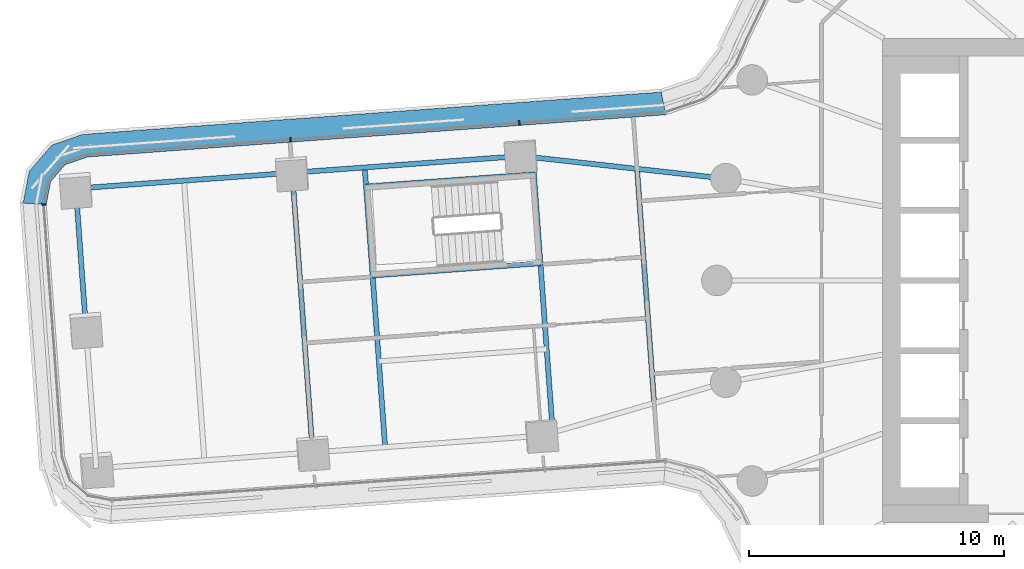
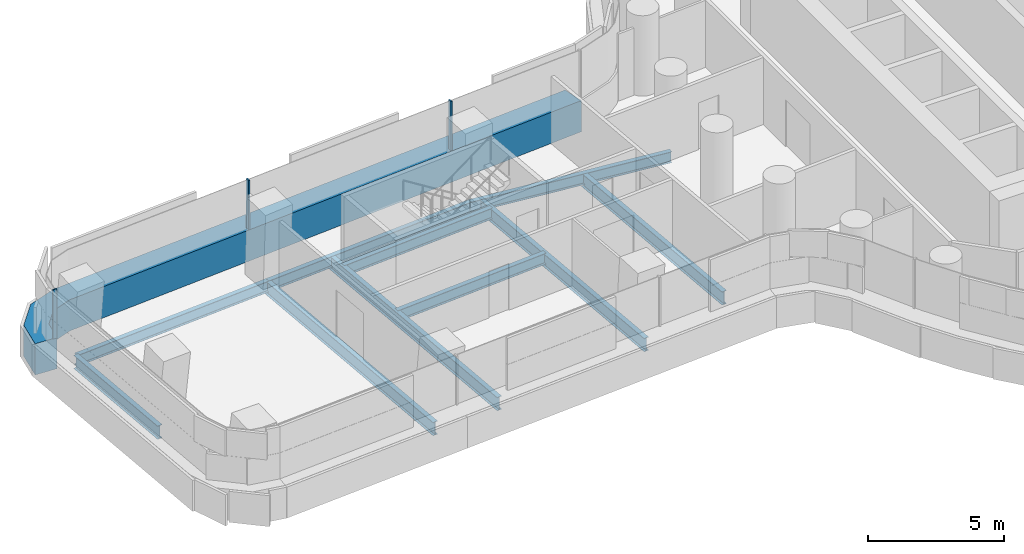
# One storey, part 6 of 31: 10 beams, 4 members, 2 elements without a shape of their own.
"""IFC4 building model written with IfcOpenShell, lengths in metres."""

from ifc_helpers import new_model, si_unit, direction, frame, origin, origin_2d, place, context, subcontext, project, spatial, polyline, rectangle, i_section, outline, extrude, material, layer, layer_set, material_profile, profile_set, type_object, element, aggregate, save


model = new_model("IFC4")

# Units and contexts
model_context = context("Model", 3, precision=1e-05, world=origin(), true_north=direction((0.0, 1.0)))
body_context = subcontext(model_context, "Body", "Model", "MODEL_VIEW")
ifc_project = project(units=[si_unit("LENGTHUNIT", "METRE"), si_unit("AREAUNIT", "SQUARE_METRE"), si_unit("VOLUMEUNIT", "CUBIC_METRE"), si_unit("PLANEANGLEUNIT", "RADIAN"), si_unit("MASSUNIT", "GRAM", prefix="KILO")], contexts=[model_context])

# Site, building, storey
site_placement = place(None, origin())
site = spatial("IfcSite", under=ifc_project, at=site_placement, CompositionType="ELEMENT")
building_placement = place(site_placement, origin())
building = spatial("IfcBuilding", under=site, at=building_placement, Name="Tamarind Cross Interchange Tower", CompositionType="ELEMENT")
storey_placement = place(building_placement, frame((0.0, 0.0, 49.0)))
storey = spatial("IfcBuildingStorey", under=building, at=storey_placement, Name="L10", CompositionType="ELEMENT", Elevation=49.0)

# Beams
ifc_material_1 = material(Name="Steel Q355B", Category="steel")
ifc_material_profile_1 = material_profile(ifc_material_1, i_section(OverallWidth=0.198974609375, OverallDepth=0.49609375, WebThickness=0.009033203125, FlangeThickness=0.013916015625, FilletRadius=0.012939453125, at=origin_2d()), Name="HN 496x199x9x14")
ifc_profile_set_1 = profile_set([ifc_material_profile_1], Name="Steel Q355B")
beam_type_1 = type_object("IfcBeamType", Name="Composite beam HN 496x199x9x14 Q355B", PredefinedType="BEAM", material=ifc_profile_set_1)
beam_1_placement = place(storey_placement, frame((-48.14501953125, 3.604248046875, -0.387939453125), z_axis=(0.997341202041, 0.072873360777, 0.0), x_axis=(-0.072873360777, 0.997341202041, 0.0)))
element("IfcBeam", 1, at=beam_1_placement, inside=storey, type_object=beam_type_1, Name="Beam W-edgeem5", PredefinedType="BEAM", context=body_context, shape_type="SweptSolid", body=[
    extrude(i_section(OverallWidth=0.198974609375, OverallDepth=0.49609375, WebThickness=0.009033203125, FlangeThickness=0.013916015625, FilletRadius=0.012939453125, at=origin_2d()), origin(), (0.0, 0.0, 1.0), 8.512939453125),
])
beam_2_placement = place(storey_placement, frame((-39.65478515625, 4.224609375, -0.387939453125), z_axis=(0.997340028026, 0.072889426516, 0.0), x_axis=(-0.072889426516, 0.997340028026, 0.0)))
element("IfcBeam", 2, at=beam_2_placement, inside=storey, type_object=beam_type_1, Name="Beam W-edgeem6", PredefinedType="BEAM", context=body_context, shape_type="SweptSolid", body=[
    extrude(i_section(OverallWidth=0.198974609375, OverallDepth=0.49609375, WebThickness=0.009033203125, FlangeThickness=0.013916015625, FilletRadius=0.012939453125, at=origin_2d()), origin(), (0.0, 0.0, 1.0), 9.0),
])
beam_3_placement = place(storey_placement, frame((-30.6787109375, 4.880615234375, -0.387939453125), z_axis=(0.993955405475, -0.109784570528, 0.0), x_axis=(0.109784570528, 0.993955405475, 0.0)))
element("IfcBeam", 3, at=beam_3_placement, inside=storey, type_object=beam_type_1, Name="Beam W-linkem", PredefinedType="BEAM", context=body_context, shape_type="SweptSolid", body=[
    extrude(i_section(OverallWidth=0.198974609375, OverallDepth=0.49609375, WebThickness=0.009033203125, FlangeThickness=0.013916015625, FilletRadius=0.012939453125, at=origin_2d()), origin(), (0.0, 0.0, 1.0), 8.076904296875),
])
for number, where, z_axis, x_axis, name in (
    (4, (-30.17529296875, 4.165283203125, -0.387939453125), (-0.997341335164, -0.072871538843, 0.0), (0.072871538843, -0.997341335164, 0.0), "Beam W-tr0"),
    (5, (-29.920166015625, 0.674560546875, -0.387939453125), (-0.997341335164, -0.072871538843, 0.0), (0.072871538843, -0.997341335164, 0.0), "Beam W-tr1"),
):
    element("IfcBeam", number, at=place(storey_placement, frame(where, z_axis=z_axis, x_axis=x_axis)), inside=storey, type_object=beam_type_1, Name=name, PredefinedType="BEAM", context=body_context, shape_type="SweptSolid", body=[
        extrude(i_section(OverallWidth=0.198974609375, OverallDepth=0.49609375, WebThickness=0.009033203125, FlangeThickness=0.013916015625, FilletRadius=0.012939453125, at=origin_2d()), origin(), (0.0, 0.0, 1.0), 6.60009765625),
    ])
ifc_material_profile_2 = material_profile(ifc_material_1, i_section(OverallWidth=0.199951171875, OverallDepth=0.60009765625, WebThickness=0.010986328125, FlangeThickness=0.01708984375, FilletRadius=0.012939453125, at=origin_2d()), Name="HN 600x200x11x17")
ifc_profile_set_2 = profile_set([ifc_material_profile_2], Name="Steel Q355B")
beam_type_2 = type_object("IfcBeamType", Name="Composite beam HN 600x200x11x17 Q355B", PredefinedType="BEAM", material=ifc_profile_set_2)
beam_4_placement = place(storey_placement, frame((-48.14501953125, 3.604248046875, -0.43994140625), z_axis=(0.072887332088, -0.997340181092, 0.0), x_axis=(0.997340181092, 0.072887332088, 0.0)))
element("IfcBeam", 6, at=beam_4_placement, inside=storey, type_object=beam_type_2, Name="Beam W-tip0", PredefinedType="BEAM", context=body_context, shape_type="SweptSolid", body=[
    extrude(i_section(OverallWidth=0.199951171875, OverallDepth=0.60009765625, WebThickness=0.010986328125, FlangeThickness=0.01708984375, FilletRadius=0.012939453125, at=origin_2d()), origin(), (0.0, 0.0, 1.0), 5.5),
])
beam_5_placement = place(storey_placement, frame((-30.223876953125, 4.830322265625, -0.43994140625), z_axis=(0.072872737405, -0.997341247589, 0.0), x_axis=(0.997341247589, 0.072872737405, 0.0)))
element("IfcBeam", 7, at=beam_5_placement, inside=storey, type_object=beam_type_2, Name="Beam W-x298", PredefinedType="BEAM", context=body_context, shape_type="SweptSolid", body=[
    extrude(i_section(OverallWidth=0.199951171875, OverallDepth=0.60009765625, WebThickness=0.010986328125, FlangeThickness=0.01708984375, FilletRadius=0.012939453125, at=origin_2d()), origin(), (0.0, 0.0, 1.0), 10.8212890625),
])
for number, where, z_axis, x_axis, name in (
    (8, (-36.8125, 4.432373046875, -0.43994140625), (0.072887332088, -0.997340181092, 0.0), (0.997340181092, 0.072887332088, 0.0), "Beam W-x364"),
    (9, (-39.65478515625, 4.224609375, -0.43994140625), (0.072865255264, -0.997341794259, 0.0), (0.997341794259, 0.072865255264, 0.0), "Beam W-x393"),
):
    element("IfcBeam", number, at=place(storey_placement, frame(where, z_axis=z_axis, x_axis=x_axis)), inside=storey, type_object=beam_type_2, Name=name, PredefinedType="BEAM", context=body_context, shape_type="SweptSolid", body=[
        extrude(i_section(OverallWidth=0.199951171875, OverallDepth=0.60009765625, WebThickness=0.010986328125, FlangeThickness=0.01708984375, FilletRadius=0.012939453125, at=origin_2d()), origin(), (0.0, 0.0, 1.0), 11.0),
    ])
beam_6_placement = place(storey_placement, frame((-26.130126953125, 4.378173828125, -0.43994140625), z_axis=(0.072887545645, -0.997340165485, 0.0), x_axis=(0.997340165485, 0.072887545645, 0.0)))
element("IfcBeam", 10, at=beam_6_placement, inside=storey, type_object=beam_type_2, Name="Beam W-x258", PredefinedType="BEAM", context=body_context, shape_type="SweptSolid", body=[
    extrude(i_section(OverallWidth=0.199951171875, OverallDepth=0.60009765625, WebThickness=0.010986328125, FlangeThickness=0.01708984375, FilletRadius=0.012939453125, at=origin_2d()), origin(), (0.0, 0.0, 1.0), 9.211181640625),
])

# Curtain wall, members
ifc_material_2 = material(Name="Aluminium 6063-T6", Category="aluminium")
ifc_layer = layer(ifc_material_2, 0.159912109375)
ifc_layer_set = layer_set([ifc_layer], Name="Aluminium 6063-T6")
curtain_wall_type = type_object("IfcCurtainWallType", Name="Office curtain wall, 9.0 m bays", PredefinedType="NOTDEFINED", material=ifc_layer_set)
curtain_wall_1_placement = place(storey_placement, origin())
curtain_wall_1 = element("IfcCurtainWall", 11, at=curtain_wall_1_placement, inside=storey, type_object=curtain_wall_type, Name="CWS-L10-03", PredefinedType="NOTDEFINED")
ifc_material_3 = material(Name="Aluminium and insulated spandrel panel", Category="aluminium")
member_type_1 = type_object("IfcMemberType", Name="Floor-edge blade transom", PredefinedType="USERDEFINED", material=ifc_material_3)
member_1_placement = place(storey_placement, origin())
member_1 = element("IfcMember", 12, at=member_1_placement, type_object=member_type_1, Name="CWT-L10-03", ObjectType="TRANSOM", PredefinedType="USERDEFINED", context=body_context, shape_type="SweptSolid", body=[
    extrude(outline(polyline([(-24.999267578125, 6.498779296875), (-47.6943359375, 4.84033203125), (-48.558837890625, 4.53955078125), (-49.130615234375, 3.8779296875), (-49.302490234375, 2.978759765625), (-50.208740234375, 3.03125), (-49.96923828125, 4.28369140625), (-49.082275390625, 5.310546875), (-47.878173828125, 5.729248046875), (-25.180419921875, 7.387939453125), (-24.999267578125, 6.498779296875)])), origin(), (0.0, 0.0, 1.0), 1.39990234375),
])
ifc_material_profile_3 = material_profile(ifc_material_2, rectangle(XDim=0.06005859375, YDim=0.159912109375, at=origin_2d()), Name="Mullion CW1")
ifc_profile_set_3 = profile_set([ifc_material_profile_3], Name="Aluminium 6063-T6")
member_type_2 = type_object("IfcMemberType", Name="Mullion CW1", PredefinedType="MULLION", material=ifc_profile_set_3)
member_2_placement = place(storey_placement, frame((-30.747802734375, 6.178955078125, 1.39990234375), z_axis=(0.0, 0.0, 1.0), x_axis=(-0.997340999058, -0.072876138746, 0.0)))
member_2 = element("IfcMember", 13, at=member_2_placement, type_object=member_type_2, Name="CWM-L10-03-01", PredefinedType="MULLION", context=body_context, shape_type="SweptSolid", body=[
    extrude(rectangle(XDim=0.06005859375, YDim=0.159912109375, at=origin_2d()), origin(), (0.0, 0.0, 1.0), 2.210205078125),
])
member_3_placement = place(storey_placement, frame((-39.723388671875, 5.52294921875, 1.39990234375), z_axis=(0.0, 0.0, 1.0), x_axis=(-0.997340999058, -0.072876138746, 0.0)))
member_3 = element("IfcMember", 14, at=member_3_placement, type_object=member_type_2, Name="CWM-L10-03-02", PredefinedType="MULLION", context=body_context, shape_type="SweptSolid", body=[
    extrude(rectangle(XDim=0.06005859375, YDim=0.159912109375, at=origin_2d()), origin(), (0.0, 0.0, 1.0), 2.210205078125),
])
aggregate(curtain_wall_1, [member_2, member_3, member_1])

# Curtain wall, member
curtain_wall_2_placement = place(storey_placement, origin())
curtain_wall_2 = element("IfcCurtainWall", 15, at=curtain_wall_2_placement, inside=storey, type_object=curtain_wall_type, Name="CWS-L10-04", PredefinedType="NOTDEFINED")
member_4_placement = place(storey_placement, frame((-49.403076171875, 2.984619140625, 1.39990234375), z_axis=(0.0, 0.0, 1.0), x_axis=(-0.057926449675, -0.998320853447, 0.0)))
member_4 = element("IfcMember", 16, at=member_4_placement, type_object=member_type_2, Name="CWM-L10-04-00", PredefinedType="MULLION", context=body_context, shape_type="SweptSolid", body=[
    extrude(rectangle(XDim=0.06005859375, YDim=0.159912109375, at=origin_2d()), origin(), (0.0, 0.0, 1.0), 2.210205078125),
])
aggregate(curtain_wall_2, [member_4])

save(model, "model.ifc")
